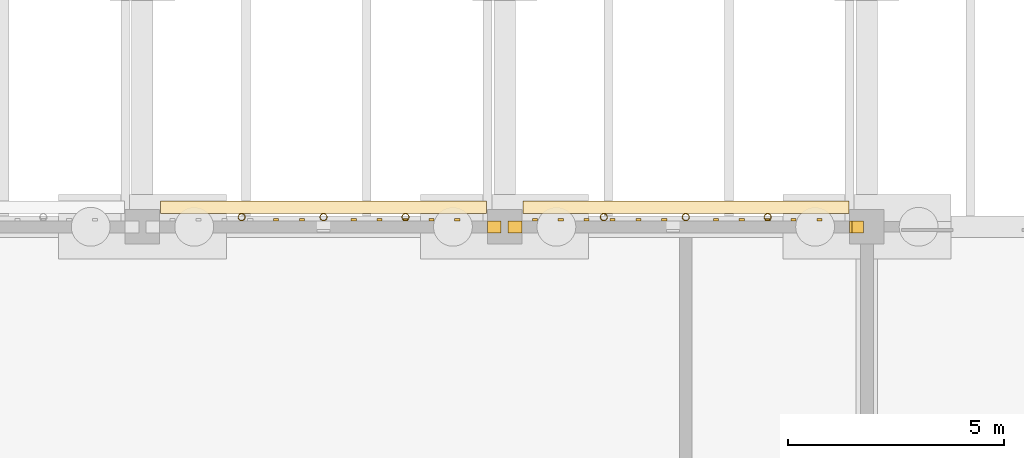
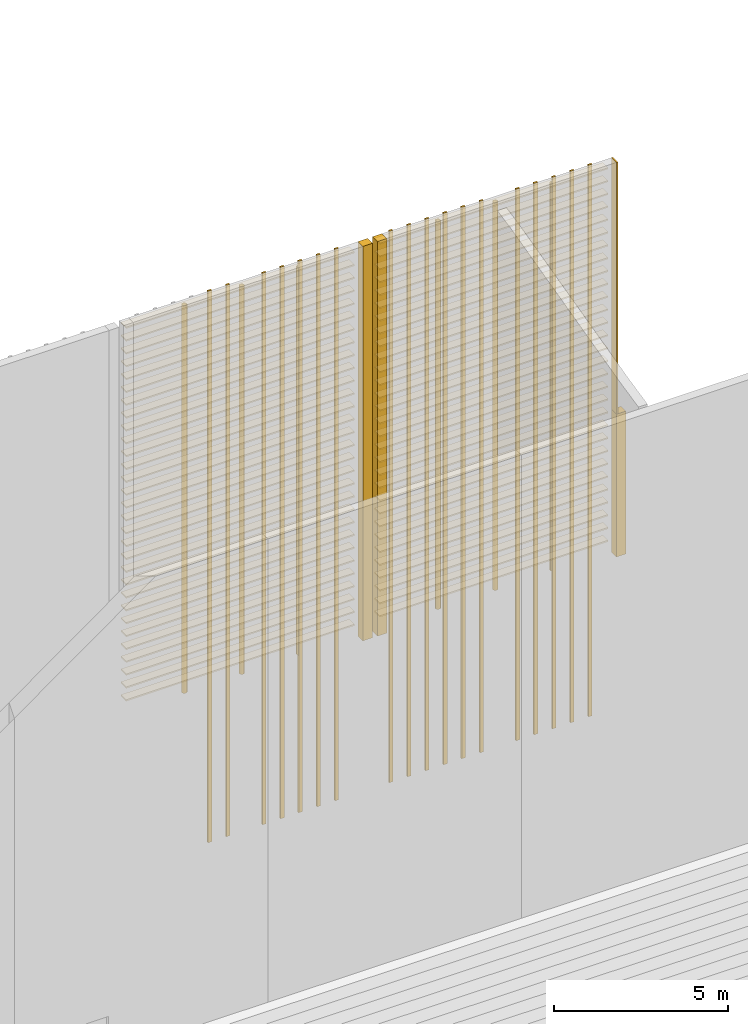
# One storey, part 69 of 82: 64 coverings, 24 shading devices.
"""IFC4 building model written with IfcOpenShell, lengths in metres."""

import ifcopenshell
import ifcopenshell.guid

model = None  # the IFC model being written
_history = None  # IfcOwnerHistory: only IFC2X3 demands one
_inside = {}  # id of a spatial element -> (the spatial element, [elements in it])
_under = {}  # id of a project, library or spatial element -> (it, [spatial elements below it])
_declared = {}  # id of a project -> (the project, [libraries it declares])
_typed = {}  # id of a type object -> (the type object, [elements of that type])
_made_of = {}  # id of a material, layer set ... -> (it, [elements and type objects made of it])


def new_model(schema):
    """Start an empty IFC model of exactly this schema.

    Asked for "IFC4X3", IfcOpenShell would pick the latest addendum, in which some entities
    have other attributes; the version numbers below select the first issue.
    IFC2X3 requires an IfcOwnerHistory on every rooted entity: one is made here for all.
    """
    global model, _history
    if schema == "IFC4X3":
        model = ifcopenshell.file(schema_version=(4, 3, 0, 0))
    else:
        model = ifcopenshell.file(schema=schema)
    _inside.clear()
    _under.clear()
    _declared.clear()
    _typed.clear()
    _made_of.clear()
    _history = None
    if model.schema == "IFC2X3":
        org = make("IfcOrganization", Name="unknown")
        user = make(
            "IfcPersonAndOrganization",
            ThePerson=make("IfcPerson", FamilyName="unknown"),
            TheOrganization=org,
        )
        app = make(
            "IfcApplication",
            ApplicationDeveloper=org,
            Version="unknown",
            ApplicationFullName="unknown",
            ApplicationIdentifier="unknown",
        )
        _history = make(
            "IfcOwnerHistory",
            OwningUser=user,
            OwningApplication=app,
            ChangeAction="ADDED",
            CreationDate=0,
        )
    return model


def make(cls, **values):
    """One entity of the class cls with the attributes given. An attribute that is None is left unset."""
    return model.create_entity(
        cls, **{name: value for name, value in values.items() if value is not None}
    )


def rooted(cls, **values):
    """An entity with a GlobalId (a new one), such as an element, a storey or a relation."""
    return make(cls, GlobalId=ifcopenshell.guid.new(), OwnerHistory=_history, **values)


def si_unit(unit_type, name, prefix=None):
    """IfcSIUnit, for example si_unit("LENGTHUNIT", "METRE", prefix="MILLI")."""
    return make("IfcSIUnit", UnitType=unit_type, Prefix=prefix, Name=name)


def assignment(units):
    """IfcUnitAssignment: the units of a project."""
    return None if units is None else make("IfcUnitAssignment", Units=units)


def point(xyz):
    """IfcCartesianPoint."""
    return None if xyz is None else make("IfcCartesianPoint", Coordinates=xyz)


def direction(xyz):
    """IfcDirection."""
    return None if xyz is None else make("IfcDirection", DirectionRatios=xyz)


def frame(location, z_axis=None, x_axis=None):
    """IfcAxis2Placement3D, a coordinate frame: its origin and axes. An axis left out is left unset."""
    return make(
        "IfcAxis2Placement3D",
        Location=point(location),
        Axis=direction(z_axis),
        RefDirection=direction(x_axis),
    )


def frame_2d(location, x_axis=None):
    """IfcAxis2Placement2D, a coordinate frame in the plane: its origin and x axis."""
    return make(
        "IfcAxis2Placement2D", Location=point(location), RefDirection=direction(x_axis)
    )


def origin():
    """The frame at (0, 0, 0) with its axes left unset."""
    return frame((0.0, 0.0, 0.0))


def origin_2d():
    """The frame at (0, 0) in the plane with its x axis left unset."""
    return frame_2d((0.0, 0.0))


def place(relative_to, where):
    """IfcLocalPlacement: puts the frame where relative to a parent placement (None: the world)."""
    return make(
        "IfcLocalPlacement", PlacementRelTo=relative_to, RelativePlacement=where
    )


def context(
    kind, dimensions, precision=None, world=None, true_north=None, identifier=None
):
    """IfcGeometricRepresentationContext, for example the 3D "Model" context."""
    return make(
        "IfcGeometricRepresentationContext",
        ContextIdentifier=identifier,
        ContextType=kind,
        CoordinateSpaceDimension=dimensions,
        Precision=precision,
        WorldCoordinateSystem=world,
        TrueNorth=true_north,
    )


def subcontext(parent, identifier, kind, view, scale=None):
    """IfcGeometricRepresentationSubContext, for example "Body" below "Model"."""
    return make(
        "IfcGeometricRepresentationSubContext",
        ContextIdentifier=identifier,
        ContextType=kind,
        ParentContext=parent,
        TargetScale=scale,
        TargetView=view,
    )


def project(units=None, contexts=None):
    """IfcProject with its units and contexts."""
    return rooted(
        "IfcProject",
        Name="project",
        RepresentationContexts=contexts,
        UnitsInContext=assignment(units),
    )


def spatial(cls, under=None, at=None, **own):
    """A site, building, storey or space (cls), placed at a placement, below another one or the project."""
    s = rooted(cls, ObjectPlacement=at, **own)
    if under is not None:
        _under.setdefault(under.id(), (under, []))[1].append(s)
    return s


def profile(cls, at=None, kind="AREA", **sizes):
    """A parametric profile (cls). Its sizes go by their IFC names, for example OverallWidth=200.0."""
    return make(cls, ProfileType=kind, Position=at, **sizes)


def rectangle(**sizes):
    """IfcRectangleProfileDef."""
    return profile("IfcRectangleProfileDef", **sizes)


def hollow_circle(**sizes):
    """IfcCircleHollowProfileDef."""
    return profile("IfcCircleHollowProfileDef", **sizes)


def extrude(swept, where, along, depth):
    """IfcExtrudedAreaSolid: the profile swept, set in the frame where, extruded along a direction by depth."""
    return make(
        "IfcExtrudedAreaSolid",
        SweptArea=swept,
        Position=where,
        ExtrudedDirection=direction(along),
        Depth=depth,
    )


def shape(context_of_items, identifier, shape_type, items):
    """IfcShapeRepresentation: the items that make up one representation, for example the "Body"."""
    return make(
        "IfcShapeRepresentation",
        ContextOfItems=context_of_items,
        RepresentationIdentifier=identifier,
        RepresentationType=shape_type,
        Items=items,
    )


def material(Name=None, Category=None):
    """IfcMaterial."""
    return make("IfcMaterial", Name=Name, Category=Category)


def layer(
    of_material, thickness, ventilated=None, Name=None, Category=None, Priority=None
):
    """IfcMaterialLayer: one layer of a wall or slab, of a material (None: an air gap)."""
    return make(
        "IfcMaterialLayer",
        Material=of_material,
        LayerThickness=thickness,
        IsVentilated=ventilated,
        Name=Name,
        Category=Category,
        Priority=Priority,
    )


def layer_set(layers, Name=None):
    """IfcMaterialLayerSet."""
    return make("IfcMaterialLayerSet", MaterialLayers=layers, LayerSetName=Name)


def material_profile(
    of_material, cross_section, Name=None, Category=None, Priority=None
):
    """IfcMaterialProfile: a cross section and its material."""
    return make(
        "IfcMaterialProfile",
        Name=Name,
        Material=of_material,
        Profile=cross_section,
        Priority=Priority,
        Category=Category,
    )


def profile_set(profiles, Name=None, composite=None):
    """IfcMaterialProfileSet."""
    return make(
        "IfcMaterialProfileSet",
        Name=Name,
        MaterialProfiles=profiles,
        CompositeProfile=composite,
    )


def made_of(thing, what):
    """Note that an element or type object is made of a material, layer set ...; save() writes the relation."""
    if what is not None:
        _made_of.setdefault(what.id(), (what, []))[1].append(thing)
    return thing


def type_object(cls, material=None, **own):
    """A type object (cls), such as IfcWallType, which elements share."""
    return made_of(rooted(cls, **own), material)


def element(
    cls,
    number,
    at=None,
    inside=None,
    cuts=None,
    type_object=None,
    material=None,
    context=None,
    identifier="Body",
    shape_type=None,
    held_by="IfcProductDefinitionShape",
    body=None,
    shapes=None,
    **own,
):
    """One element of the class cls, such as IfcWall. Its Tag is "e" and its number.

    at: its placement. inside: the storey or other place that contains it. cuts: it is an
    opening in that element (IfcRelVoidsElement). A single representation is given by context,
    identifier, shape_type and body (its items); several are given by shapes. held_by: the class
    of the entity that holds the representations. save() writes the other relations.
    """
    e = rooted(cls, Tag="e%d" % number, ObjectPlacement=at, **own)
    if body is not None:
        shapes = [shape(context, identifier, shape_type, body)]
    if shapes is not None:
        e.Representation = make(held_by, Representations=shapes)
    if inside is not None:
        _inside.setdefault(inside.id(), (inside, []))[1].append(e)
    if cuts is not None:
        rooted(
            "IfcRelVoidsElement", RelatingBuildingElement=cuts, RelatedOpeningElement=e
        )
    if type_object is not None:
        _typed.setdefault(type_object.id(), (type_object, []))[1].append(e)
    return made_of(e, material)


def aggregate(whole, parts):
    """IfcRelAggregates: a whole, such as a stair, and the parts it consists of."""
    return rooted("IfcRelAggregates", RelatingObject=whole, RelatedObjects=parts)


def save(model, path):
    """Write the relations noted so far, then the file.

    IfcRelAggregates (storeys below a building ...), IfcRelContainedInSpatialStructure (elements
    in a storey), IfcRelDefinesByType, IfcRelAssociatesMaterial and IfcRelDeclares: one each for
    every whole, place, type object, material and project.
    """
    for whole, parts in _under.values():
        aggregate(whole, parts)
    for where, things in _inside.values():
        rooted(
            "IfcRelContainedInSpatialStructure",
            RelatedElements=things,
            RelatingStructure=where,
        )
    for kind, things in _typed.values():
        rooted("IfcRelDefinesByType", RelatedObjects=things, RelatingType=kind)
    for what, things in _made_of.values():
        rooted("IfcRelAssociatesMaterial", RelatedObjects=things, RelatingMaterial=what)
    for by, libraries in _declared.values():
        rooted("IfcRelDeclares", RelatingContext=by, RelatedDefinitions=libraries)
    model.write(path)


model = new_model("IFC4")

# Units and contexts
model_context = context("Model", 3, precision=1e-05, world=origin(), true_north=direction((0.0, 1.0)))
body_context = subcontext(model_context, "Body", "Model", "MODEL_VIEW")
ifc_project = project(units=[si_unit("LENGTHUNIT", "METRE"), si_unit("AREAUNIT", "SQUARE_METRE"), si_unit("VOLUMEUNIT", "CUBIC_METRE"), si_unit("PLANEANGLEUNIT", "RADIAN"), si_unit("MASSUNIT", "GRAM", prefix="KILO")], contexts=[model_context])

# Site, building, storey
site_placement = place(None, origin())
site = spatial("IfcSite", under=ifc_project, at=site_placement, CompositionType="ELEMENT")
building_placement = place(site_placement, origin())
building = spatial("IfcBuilding", under=site, at=building_placement, Name="Almond Square Museum", CompositionType="ELEMENT")
storey_placement = place(building_placement, origin())
storey = spatial("IfcBuildingStorey", under=building, at=storey_placement, Name="L00", CompositionType="ELEMENT", Elevation=0.0)

# Shading devices
ifc_material_1 = material(Name="Structural steel S355", Category="steel")
ifc_material_profile_1 = material_profile(ifc_material_1, hollow_circle(Radius=0.084228515625, WallThickness=0.008056640625, at=origin_2d()))
ifc_profile_set_1 = profile_set([ifc_material_profile_1], Name="Structural steel S355")
shading_device_type_1 = type_object("IfcShadingDeviceType", Name="Louvre post CHS 168.3 x 8", PredefinedType="USERDEFINED", material=ifc_profile_set_1)
for number, where, z_axis, x_axis, name in (
    (1, (33.5, 109.424072265625, 5.5), (0.0, 0.0, 1.0), (1.0, 0.0, 0.0), "Louvre screen post"),
    (2, (35.39990234375, 109.424072265625, 5.5), (0.0, 0.0, 1.0), (1.0, 0.0, 0.0), "Louvre screen post"),
    (3, (37.300048828125, 109.424072265625, 5.5), (0.0, 0.0, 1.0), (1.0, 0.0, 0.0), "Louvre screen post"),
    (4, (25.10009765625, 109.424072265625, 5.5), (0.0, 0.0, 1.0), (1.0, 0.0, 0.0), "Louvre screen post"),
    (5, (27.0, 109.424072265625, 5.5), (0.0, 0.0, 1.0), (1.0, 0.0, 0.0), "Louvre screen post"),
    (6, (28.89990234375, 109.424072265625, 5.5), (0.0, 0.0, 1.0), (1.0, 0.0, 0.0), "Louvre screen post"),
):
    element("IfcShadingDevice", number, at=place(storey_placement, frame(where, z_axis=z_axis, x_axis=x_axis)), inside=storey, type_object=shading_device_type_1, Name=name, ObjectType="POST", PredefinedType="USERDEFINED", context=body_context, shape_type="SweptSolid", body=[
        extrude(hollow_circle(Radius=0.084228515625, WallThickness=0.008056640625, at=origin_2d()), origin(), (0.0, 0.0, 1.0), 13.569091796875),
    ])

# Coverings
ifc_material_2 = material(Name="Cedar timber louvre board", Category="wood")
ifc_material_profile_2 = material_profile(ifc_material_2, rectangle(XDim=0.300048828125, YDim=0.050048828125, at=origin_2d()))
ifc_profile_set_2 = profile_set([ifc_material_profile_2], Name="Cedar timber louvre board")
covering_type_1 = type_object("IfcCoveringType", Name="Louvre screen board 300 x 50", PredefinedType="CLADDING", material=ifc_profile_set_2)
for number, where, z_axis, x_axis, name in (
    (7, (31.6201171875, 109.654296875, 5.800048828125), (1.0, 0.0, 0.0), (0.0, 1.0, 0.0), "Louvre screen board"),
    (8, (31.6201171875, 109.654296875, 6.25), (1.0, 0.0, 0.0), (0.0, 1.0, 0.0), "Louvre screen board"),
    (9, (31.6201171875, 109.654296875, 6.699951171875), (1.0, 0.0, 0.0), (0.0, 1.0, 0.0), "Louvre screen board"),
    (10, (31.6201171875, 109.654296875, 7.14990234375), (1.0, 0.0, 0.0), (0.0, 1.0, 0.0), "Louvre screen board"),
    (11, (31.6201171875, 109.654296875, 7.60009765625), (1.0, 0.0, 0.0), (0.0, 1.0, 0.0), "Louvre screen board"),
    (12, (31.6201171875, 109.654296875, 8.050048828125), (1.0, 0.0, 0.0), (0.0, 1.0, 0.0), "Louvre screen board"),
    (13, (31.6201171875, 109.654296875, 8.5), (1.0, 0.0, 0.0), (0.0, 1.0, 0.0), "Louvre screen board"),
    (14, (31.6201171875, 109.654296875, 8.949951171875), (1.0, 0.0, 0.0), (0.0, 1.0, 0.0), "Louvre screen board"),
    (15, (31.6201171875, 109.654296875, 9.39990234375), (1.0, 0.0, 0.0), (0.0, 1.0, 0.0), "Louvre screen board"),
    (16, (31.6201171875, 109.654296875, 9.85009765625), (1.0, 0.0, 0.0), (0.0, 1.0, 0.0), "Louvre screen board"),
    (17, (31.6201171875, 109.654296875, 10.300048828125), (1.0, 0.0, 0.0), (0.0, 1.0, 0.0), "Louvre screen board"),
    (18, (31.6201171875, 109.654296875, 10.75), (1.0, 0.0, 0.0), (0.0, 1.0, 0.0), "Louvre screen board"),
    (19, (31.6201171875, 109.654296875, 11.199951171875), (1.0, 0.0, 0.0), (0.0, 1.0, 0.0), "Louvre screen board"),
    (20, (31.6201171875, 109.654296875, 11.64990234375), (1.0, 0.0, 0.0), (0.0, 1.0, 0.0), "Louvre screen board"),
    (21, (31.6201171875, 109.654296875, 12.10009765625), (1.0, 0.0, 0.0), (0.0, 1.0, 0.0), "Louvre screen board"),
    (22, (31.6201171875, 109.654296875, 12.550048828125), (1.0, 0.0, 0.0), (0.0, 1.0, 0.0), "Louvre screen board"),
    (23, (31.6201171875, 109.654296875, 13.0), (1.0, 0.0, 0.0), (0.0, 1.0, 0.0), "Louvre screen board"),
    (24, (31.6201171875, 109.654296875, 13.449951171875), (1.0, 0.0, 0.0), (0.0, 1.0, 0.0), "Louvre screen board"),
    (25, (31.6201171875, 109.654296875, 13.89990234375), (1.0, 0.0, 0.0), (0.0, 1.0, 0.0), "Louvre screen board"),
    (26, (31.6201171875, 109.654296875, 14.35009765625), (1.0, 0.0, 0.0), (0.0, 1.0, 0.0), "Louvre screen board"),
    (27, (31.6201171875, 109.654296875, 14.800048828125), (1.0, 0.0, 0.0), (0.0, 1.0, 0.0), "Louvre screen board"),
    (28, (31.6201171875, 109.654296875, 15.25), (1.0, 0.0, 0.0), (0.0, 1.0, 0.0), "Louvre screen board"),
    (29, (31.6201171875, 109.654296875, 15.699951171875), (1.0, 0.0, 0.0), (0.0, 1.0, 0.0), "Louvre screen board"),
    (30, (31.6201171875, 109.654296875, 16.14990234375), (1.0, 0.0, 0.0), (0.0, 1.0, 0.0), "Louvre screen board"),
    (31, (31.6201171875, 109.654296875, 16.60009765625), (1.0, 0.0, 0.0), (0.0, 1.0, 0.0), "Louvre screen board"),
    (32, (31.6201171875, 109.654296875, 17.050048828125), (1.0, 0.0, 0.0), (0.0, 1.0, 0.0), "Louvre screen board"),
    (33, (31.6201171875, 109.654296875, 17.5), (1.0, 0.0, 0.0), (0.0, 1.0, 0.0), "Louvre screen board"),
    (34, (31.6201171875, 109.654296875, 17.949951171875), (1.0, 0.0, 0.0), (0.0, 1.0, 0.0), "Louvre screen board"),
    (35, (31.6201171875, 109.654296875, 18.39990234375), (1.0, 0.0, 0.0), (0.0, 1.0, 0.0), "Louvre screen board"),
    (36, (31.6201171875, 109.654296875, 18.85009765625), (1.0, 0.0, 0.0), (0.0, 1.0, 0.0), "Louvre screen board"),
):
    element("IfcCovering", number, at=place(storey_placement, frame(where, z_axis=z_axis, x_axis=x_axis)), inside=storey, type_object=covering_type_1, Name=name, PredefinedType="CLADDING", context=body_context, shape_type="SweptSolid", body=[
        extrude(rectangle(XDim=0.300048828125, YDim=0.050048828125, at=origin_2d()), origin(), (0.0, 0.0, 1.0), 7.559814453125),
    ])
for number, where, z_axis, x_axis, name in (
    (37, (23.219970703125, 109.654296875, 5.800048828125), (1.0, 0.0, 0.0), (0.0, 1.0, 0.0), "Louvre screen board"),
    (38, (23.219970703125, 109.654296875, 6.25), (1.0, 0.0, 0.0), (0.0, 1.0, 0.0), "Louvre screen board"),
    (39, (23.219970703125, 109.654296875, 6.699951171875), (1.0, 0.0, 0.0), (0.0, 1.0, 0.0), "Louvre screen board"),
    (40, (23.219970703125, 109.654296875, 7.14990234375), (1.0, 0.0, 0.0), (0.0, 1.0, 0.0), "Louvre screen board"),
    (41, (23.219970703125, 109.654296875, 7.60009765625), (1.0, 0.0, 0.0), (0.0, 1.0, 0.0), "Louvre screen board"),
    (42, (23.219970703125, 109.654296875, 8.050048828125), (1.0, 0.0, 0.0), (0.0, 1.0, 0.0), "Louvre screen board"),
    (43, (23.219970703125, 109.654296875, 8.5), (1.0, 0.0, 0.0), (0.0, 1.0, 0.0), "Louvre screen board"),
    (44, (23.219970703125, 109.654296875, 8.949951171875), (1.0, 0.0, 0.0), (0.0, 1.0, 0.0), "Louvre screen board"),
    (45, (23.219970703125, 109.654296875, 9.39990234375), (1.0, 0.0, 0.0), (0.0, 1.0, 0.0), "Louvre screen board"),
    (46, (23.219970703125, 109.654296875, 9.85009765625), (1.0, 0.0, 0.0), (0.0, 1.0, 0.0), "Louvre screen board"),
    (47, (23.219970703125, 109.654296875, 10.300048828125), (1.0, 0.0, 0.0), (0.0, 1.0, 0.0), "Louvre screen board"),
    (48, (23.219970703125, 109.654296875, 10.75), (1.0, 0.0, 0.0), (0.0, 1.0, 0.0), "Louvre screen board"),
    (49, (23.219970703125, 109.654296875, 11.199951171875), (1.0, 0.0, 0.0), (0.0, 1.0, 0.0), "Louvre screen board"),
    (50, (23.219970703125, 109.654296875, 11.64990234375), (1.0, 0.0, 0.0), (0.0, 1.0, 0.0), "Louvre screen board"),
    (51, (23.219970703125, 109.654296875, 12.10009765625), (1.0, 0.0, 0.0), (0.0, 1.0, 0.0), "Louvre screen board"),
    (52, (23.219970703125, 109.654296875, 12.550048828125), (1.0, 0.0, 0.0), (0.0, 1.0, 0.0), "Louvre screen board"),
    (53, (23.219970703125, 109.654296875, 13.0), (1.0, 0.0, 0.0), (0.0, 1.0, 0.0), "Louvre screen board"),
    (54, (23.219970703125, 109.654296875, 13.449951171875), (1.0, 0.0, 0.0), (0.0, 1.0, 0.0), "Louvre screen board"),
    (55, (23.219970703125, 109.654296875, 13.89990234375), (1.0, 0.0, 0.0), (0.0, 1.0, 0.0), "Louvre screen board"),
    (56, (23.219970703125, 109.654296875, 14.35009765625), (1.0, 0.0, 0.0), (0.0, 1.0, 0.0), "Louvre screen board"),
    (57, (23.219970703125, 109.654296875, 14.800048828125), (1.0, 0.0, 0.0), (0.0, 1.0, 0.0), "Louvre screen board"),
    (58, (23.219970703125, 109.654296875, 15.25), (1.0, 0.0, 0.0), (0.0, 1.0, 0.0), "Louvre screen board"),
    (59, (23.219970703125, 109.654296875, 15.699951171875), (1.0, 0.0, 0.0), (0.0, 1.0, 0.0), "Louvre screen board"),
    (60, (23.219970703125, 109.654296875, 16.14990234375), (1.0, 0.0, 0.0), (0.0, 1.0, 0.0), "Louvre screen board"),
    (61, (23.219970703125, 109.654296875, 16.60009765625), (1.0, 0.0, 0.0), (0.0, 1.0, 0.0), "Louvre screen board"),
    (62, (23.219970703125, 109.654296875, 17.050048828125), (1.0, 0.0, 0.0), (0.0, 1.0, 0.0), "Louvre screen board"),
    (63, (23.219970703125, 109.654296875, 17.5), (1.0, 0.0, 0.0), (0.0, 1.0, 0.0), "Louvre screen board"),
    (64, (23.219970703125, 109.654296875, 17.949951171875), (1.0, 0.0, 0.0), (0.0, 1.0, 0.0), "Louvre screen board"),
    (65, (23.219970703125, 109.654296875, 18.39990234375), (1.0, 0.0, 0.0), (0.0, 1.0, 0.0), "Louvre screen board"),
    (66, (23.219970703125, 109.654296875, 18.85009765625), (1.0, 0.0, 0.0), (0.0, 1.0, 0.0), "Louvre screen board"),
):
    element("IfcCovering", number, at=place(storey_placement, frame(where, z_axis=z_axis, x_axis=x_axis)), inside=storey, type_object=covering_type_1, Name=name, PredefinedType="CLADDING", context=body_context, shape_type="SweptSolid", body=[
        extrude(rectangle(XDim=0.300048828125, YDim=0.050048828125, at=origin_2d()), origin(), (0.0, 0.0, 1.0), 7.56005859375),
    ])

# Shading devices
ifc_material_3 = material(Name="Cedar timber batten", Category="wood")
ifc_material_profile_3 = material_profile(ifc_material_3, rectangle(XDim=0.06005859375, YDim=0.1201171875, at=origin_2d()))
ifc_profile_set_3 = profile_set([ifc_material_profile_3], Name="Cedar timber batten")
shading_device_type_2 = type_object("IfcShadingDeviceType", Name="Vertical timber batten 60 x 120", PredefinedType="USERDEFINED", material=ifc_profile_set_3)
for number, where, z_axis, x_axis, name in (
    (67, (31.89990234375, 109.367919921875, 0.0), (0.0, 0.0, 1.0), (0.0, 1.0, 0.0), "Timber batten"),
    (68, (32.5, 109.367919921875, 0.0), (0.0, 0.0, 1.0), (0.0, 1.0, 0.0), "Timber batten"),
    (69, (33.10009765625, 109.367919921875, 0.0), (0.0, 0.0, 1.0), (0.0, 1.0, 0.0), "Timber batten"),
    (70, (33.699951171875, 109.367919921875, 0.0), (0.0, 0.0, 1.0), (0.0, 1.0, 0.0), "Timber batten"),
    (71, (34.300048828125, 109.367919921875, 0.0), (0.0, 0.0, 1.0), (0.0, 1.0, 0.0), "Timber batten"),
    (72, (34.89990234375, 109.367919921875, 0.0), (0.0, 0.0, 1.0), (0.0, 1.0, 0.0), "Timber batten"),
    (73, (36.10009765625, 109.367919921875, 0.0), (0.0, 0.0, 1.0), (0.0, 1.0, 0.0), "Timber batten"),
    (74, (36.699951171875, 109.367919921875, 0.0), (0.0, 0.0, 1.0), (0.0, 1.0, 0.0), "Timber batten"),
    (75, (37.300048828125, 109.367919921875, 0.0), (0.0, 0.0, 1.0), (0.0, 1.0, 0.0), "Timber batten"),
    (76, (37.89990234375, 109.367919921875, 0.0), (0.0, 0.0, 1.0), (0.0, 1.0, 0.0), "Timber batten"),
    (77, (38.5, 109.367919921875, 0.0), (0.0, 0.0, 1.0), (0.0, 1.0, 0.0), "Timber batten"),
    (78, (25.89990234375, 109.367919921875, 0.0), (0.0, 0.0, 1.0), (0.0, 1.0, 0.0), "Timber batten"),
    (79, (26.5, 109.367919921875, 0.0), (0.0, 0.0, 1.0), (0.0, 1.0, 0.0), "Timber batten"),
    (80, (27.699951171875, 109.367919921875, 0.0), (0.0, 0.0, 1.0), (0.0, 1.0, 0.0), "Timber batten"),
    (81, (28.300048828125, 109.367919921875, 0.0), (0.0, 0.0, 1.0), (0.0, 1.0, 0.0), "Timber batten"),
    (82, (28.89990234375, 109.367919921875, 0.0), (0.0, 0.0, 1.0), (0.0, 1.0, 0.0), "Timber batten"),
    (83, (29.5, 109.367919921875, 0.0), (0.0, 0.0, 1.0), (0.0, 1.0, 0.0), "Timber batten"),
    (84, (30.10009765625, 109.367919921875, 0.0), (0.0, 0.0, 1.0), (0.0, 1.0, 0.0), "Timber batten"),
):
    element("IfcShadingDevice", number, at=place(storey_placement, frame(where, z_axis=z_axis, x_axis=x_axis)), inside=storey, type_object=shading_device_type_2, Name=name, ObjectType="FIN", PredefinedType="USERDEFINED", context=body_context, shape_type="SweptSolid", body=[
        extrude(rectangle(XDim=0.06005859375, YDim=0.1201171875, at=origin_2d()), origin(), (0.0, 0.0, 1.0), 19.319091796875),
    ])

# Coverings
ifc_material_4 = material(Name="Cladding panel to match the wall")
ifc_layer = layer(ifc_material_4, 0.050048828125)
ifc_layer_set = layer_set([ifc_layer], Name="Cladding panel to match the wall")
covering_type_2 = type_object("IfcCoveringType", Name="Wall end closure panel", PredefinedType="CLADDING", material=ifc_layer_set)
covering_1_placement = place(storey_placement, frame((31.43994140625, 109.199951171875, 5.5), z_axis=(0.0, 0.0, 1.0), x_axis=(1.0, 0.0, 0.0)))
element("IfcCovering", 85, at=covering_1_placement, inside=storey, type_object=covering_type_2, Name="Wall end closure panel", PredefinedType="CLADDING", context=body_context, shape_type="SweptSolid", body=[
    extrude(rectangle(XDim=0.320068359375, YDim=0.280029296875, at=origin_2d()), origin(), (0.0, 0.0, 1.0), 13.819091796875),
])
covering_2_placement = place(storey_placement, frame((39.360107421875, 109.199951171875, 5.5), z_axis=(0.0, 0.0, 1.0), x_axis=(1.0, 0.0, 0.0)))
element("IfcCovering", 86, at=covering_2_placement, inside=storey, type_object=covering_type_2, Name="Wall end closure panel", PredefinedType="CLADDING", context=body_context, shape_type="SweptSolid", body=[
    extrude(rectangle(XDim=0.320068359375, YDim=0.280029296875, at=origin_2d()), origin(), (0.0, 0.0, 1.0), 5.0),
])
covering_3_placement = place(storey_placement, frame((39.22509765625, 109.199951171875, 10.5), z_axis=(0.0, 0.0, 1.0), x_axis=(1.0, 0.0, 0.0)))
element("IfcCovering", 87, at=covering_3_placement, inside=storey, type_object=covering_type_2, Name="Wall end closure panel", PredefinedType="CLADDING", context=body_context, shape_type="SweptSolid", body=[
    extrude(rectangle(XDim=0.050048828125, YDim=0.280029296875, at=origin_2d()), origin(), (0.0, 0.0, 1.0), 8.819091796875),
])
covering_4_placement = place(storey_placement, frame((30.9599609375, 109.199951171875, 5.5), z_axis=(0.0, 0.0, 1.0), x_axis=(1.0, 0.0, 0.0)))
element("IfcCovering", 88, at=covering_4_placement, inside=storey, type_object=covering_type_2, Name="Wall end closure panel", PredefinedType="CLADDING", context=body_context, shape_type="SweptSolid", body=[
    extrude(rectangle(XDim=0.320068359375, YDim=0.280029296875, at=origin_2d()), origin(), (0.0, 0.0, 1.0), 13.819091796875),
])

save(model, "model.ifc")
